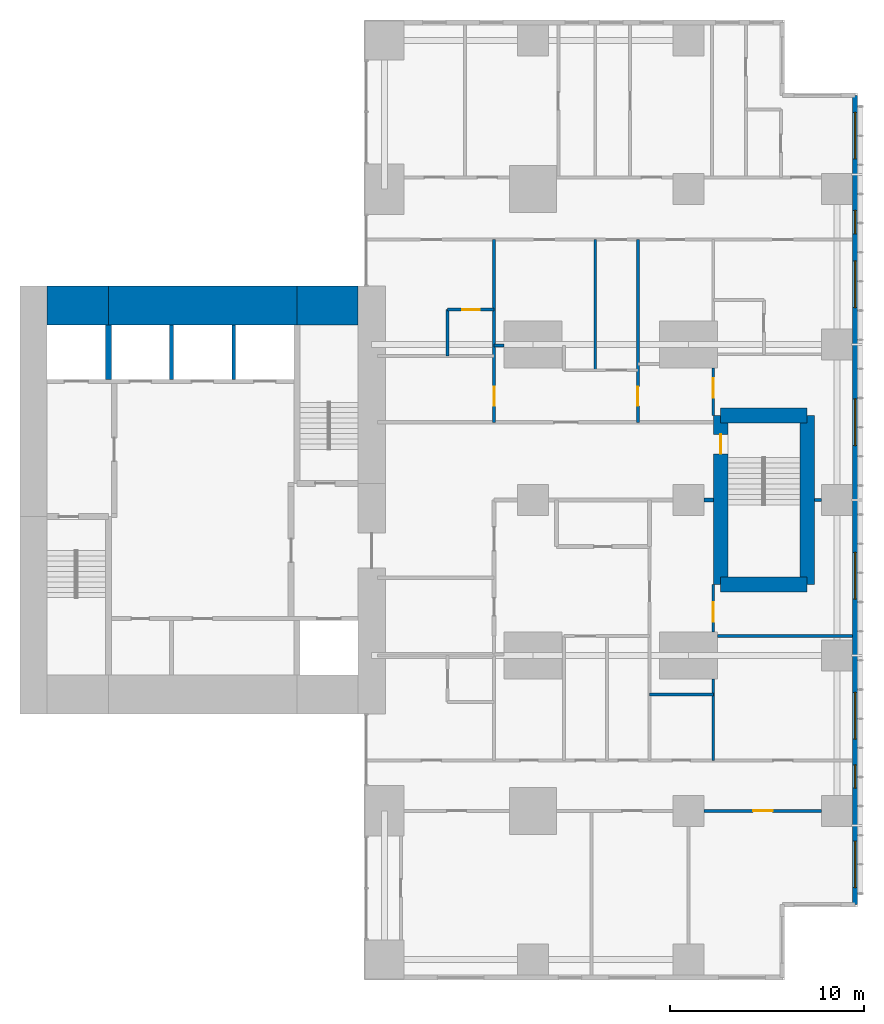
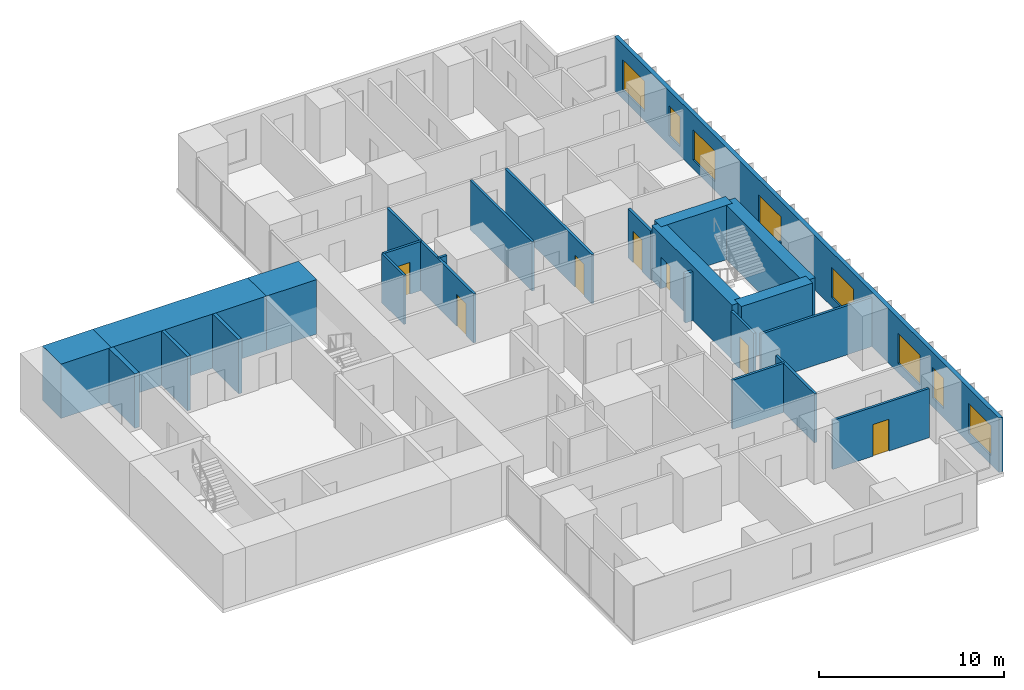
# One storey, part 9 of 12: 25 walls, 8 windows, 7 doors, 15 openings.
"""IFC4 building model written with IfcOpenShell, lengths in metres."""

from ifc_helpers import new_model, si_unit, direction, frame, frame_2d, origin, place, context, subcontext, project, spatial, rectangle, extrude, material, layer, layer_set, type_object, element, fill, save


model = new_model("IFC4")

# Units and contexts
model_context = context("Model", 3, precision=1e-05, world=origin(), true_north=direction((0.0, 1.0)))
body_context = subcontext(model_context, "Body", "Model", "MODEL_VIEW")
ifc_project = project(units=[si_unit("LENGTHUNIT", "METRE"), si_unit("AREAUNIT", "SQUARE_METRE"), si_unit("VOLUMEUNIT", "CUBIC_METRE"), si_unit("PLANEANGLEUNIT", "RADIAN"), si_unit("MASSUNIT", "GRAM", prefix="KILO")], contexts=[model_context])

# Site, building, storey
site_placement = place(None, origin())
site = spatial("IfcSite", under=ifc_project, at=site_placement, CompositionType="ELEMENT")
building_placement = place(site_placement, origin())
building = spatial("IfcBuilding", under=site, at=building_placement, Name="Cleftline Residences", CompositionType="ELEMENT")
storey_placement = place(building_placement, frame((0.0, 0.0, 273.60009765625)))
storey = spatial("IfcBuildingStorey", under=building, at=storey_placement, Name="L72", CompositionType="ELEMENT", Elevation=273.60009765625)

# Walls
ifc_material_1 = material(Name="Concrete B70", Category="concrete")
ifc_layer_1 = layer(ifc_material_1, 2.0)
ifc_layer_set_1 = layer_set([ifc_layer_1], Name="CORE WALL 2000")
wall_type_1 = type_object("IfcWallType", Name="CORE WALL 2000", PredefinedType="SHEAR", material=ifc_layer_set_1)
wall_1_placement = place(storey_placement, frame((25.0, 34.0, 0.0), z_axis=(0.0, 0.0, 1.0), x_axis=(1.0, 0.0, 0.0)))
element("IfcWall", 1, at=wall_1_placement, inside=storey, type_object=wall_type_1, Name="Core wall N1", PredefinedType="SHEAR", context=body_context, shape_type="SweptSolid", body=[
    extrude(rectangle(XDim=3.14990234375, YDim=2.0, at=frame_2d((1.574951171875, 0.0))), origin(), (0.0, 0.0, 1.0), 3.599853515625),
])
wall_2_placement = place(storey_placement, frame((28.14990234375, 34.0, 0.0), z_axis=(0.0, 0.0, 1.0), x_axis=(1.0, 0.0, 0.0)))
element("IfcWall", 2, at=wall_2_placement, inside=storey, type_object=wall_type_1, Name="Core wall N2", PredefinedType="SHEAR", context=body_context, shape_type="SweptSolid", body=[
    extrude(rectangle(XDim=9.7001953125, YDim=2.0, at=frame_2d((4.85009765625, 0.0))), origin(), (0.0, 0.0, 1.0), 3.599853515625),
])
wall_3_placement = place(storey_placement, frame((37.85009765625, 34.0, 0.0), z_axis=(0.0, 0.0, 1.0), x_axis=(1.0, 0.0, 0.0)))
element("IfcWall", 3, at=wall_3_placement, inside=storey, type_object=wall_type_1, Name="Core wall N3", PredefinedType="SHEAR", context=body_context, shape_type="SweptSolid", body=[
    extrude(rectangle(XDim=3.14990234375, YDim=2.0, at=frame_2d((1.574951171875, 0.0))), origin(), (0.0, 0.0, 1.0), 3.599853515625),
])
ifc_material_2 = material(Name="Concrete B70", Category="concrete")
ifc_layer_2 = layer(ifc_material_2, 0.300048828125)
ifc_layer_set_2 = layer_set([ifc_layer_2], Name="CORE WALL 300")
wall_type_2 = type_object("IfcWallType", Name="CORE WALL 300", PredefinedType="SHEAR", material=ifc_layer_set_2)
wall_4_placement = place(storey_placement, frame((28.14990234375, 30.199951171875, 0.0), z_axis=(0.0, 0.0, 1.0), x_axis=(0.0, 1.0, 0.0)))
element("IfcWall", 4, at=wall_4_placement, inside=storey, type_object=wall_type_2, Name="Lift shaft wall", PredefinedType="SHEAR", context=body_context, shape_type="SweptSolid", body=[
    extrude(rectangle(XDim=2.800048828125, YDim=0.300048828125, at=frame_2d((1.39990234375, 0.0))), origin(), (0.0, 0.0, 1.0), 3.599853515625),
])

# Wall, openings, windows
ifc_material_3 = material(Name="Rendered reinforced concrete blockwork", Category="masonry")
ifc_layer_3 = layer(ifc_material_3, 0.25)
ifc_layer_set_3 = layer_set([ifc_layer_3], Name="EXTERNAL WALL 250")
wall_type_3 = type_object("IfcWallType", Name="EXTERNAL WALL 250", PredefinedType="SOLIDWALL", material=ifc_layer_set_3)
wall_5_placement = place(storey_placement, frame((66.574951171875, 3.175048828125, 0.0), z_axis=(0.0, 0.0, 1.0), x_axis=(0.0, 1.0, 0.0)))
wall_5 = element("IfcWall", 5, at=wall_5_placement, inside=storey, type_object=wall_type_3, Name="External wall", PredefinedType="SOLIDWALL", context=body_context, shape_type="SweptSolid", body=[
    extrude(rectangle(XDim=41.64990234375, YDim=0.25, at=frame_2d((20.824951171875, 0.0))), origin(), (0.0, 0.0, 1.0), 3.599853515625),
])
opening_1_placement = place(wall_5_placement, frame((0.875, 0.0, 0.60009765625)))
opening_1 = element("IfcOpeningElement", 6, at=opening_1_placement, cuts=wall_5, Name="Opening W6", PredefinedType="OPENING", context=body_context, shape_type="SweptSolid", body=[
    extrude(rectangle(XDim=2.39990234375, YDim=2.0, at=frame_2d((1.199951171875, 1.0))), frame((0.0, 0.135009765625, 0.0), z_axis=(0.0, -1.0, 0.0), x_axis=(1.0, 0.0, 0.0)), (0.0, 0.0, 1.0), 0.27001953125),
])
opening_2_placement = place(wall_5_placement, frame((6.0, 0.0, 0.60009765625)))
opening_2 = element("IfcOpeningElement", 7, at=opening_2_placement, cuts=wall_5, Name="Opening W8", PredefinedType="OPENING", context=body_context, shape_type="SweptSolid", body=[
    extrude(rectangle(XDim=1.199951171875, YDim=2.0, at=frame_2d((0.60009765625, 1.0))), frame((0.0, 0.135009765625, 0.0), z_axis=(0.0, -1.0, 0.0), x_axis=(1.0, 0.0, 0.0)), (0.0, 0.0, 1.0), 0.27001953125),
])
opening_3_placement = place(wall_5_placement, frame((8.52490234375, 0.0, 0.60009765625)))
opening_3 = element("IfcOpeningElement", 8, at=opening_3_placement, cuts=wall_5, Name="Opening W6", PredefinedType="OPENING", context=body_context, shape_type="SweptSolid", body=[
    extrude(rectangle(XDim=2.39990234375, YDim=2.0, at=frame_2d((1.199951171875, 1.0))), frame((0.0, 0.135009765625, 0.0), z_axis=(0.0, -1.0, 0.0), x_axis=(1.0, 0.0, 0.0)), (0.0, 0.0, 1.0), 0.27001953125),
])
opening_4_placement = place(wall_5_placement, frame((15.72509765625, 0.0, 0.60009765625)))
opening_4 = element("IfcOpeningElement", 9, at=opening_4_placement, cuts=wall_5, Name="Opening W6", PredefinedType="OPENING", context=body_context, shape_type="SweptSolid", body=[
    extrude(rectangle(XDim=2.39990234375, YDim=2.0, at=frame_2d((1.199951171875, 1.0))), frame((0.0, 0.135009765625, 0.0), z_axis=(0.0, -1.0, 0.0), x_axis=(1.0, 0.0, 0.0)), (0.0, 0.0, 1.0), 0.27001953125),
])
opening_5_placement = place(wall_5_placement, frame((23.625, 0.0, 0.60009765625)))
opening_5 = element("IfcOpeningElement", 10, at=opening_5_placement, cuts=wall_5, Name="Opening W6", PredefinedType="OPENING", context=body_context, shape_type="SweptSolid", body=[
    extrude(rectangle(XDim=2.39990234375, YDim=2.0, at=frame_2d((1.199951171875, 1.0))), frame((0.0, 0.135009765625, 0.0), z_axis=(0.0, -1.0, 0.0), x_axis=(1.0, 0.0, 0.0)), (0.0, 0.0, 1.0), 0.27001953125),
])
opening_6_placement = place(wall_5_placement, frame((30.72509765625, 0.0, 0.60009765625)))
opening_6 = element("IfcOpeningElement", 11, at=opening_6_placement, cuts=wall_5, Name="Opening W6", PredefinedType="OPENING", context=body_context, shape_type="SweptSolid", body=[
    extrude(rectangle(XDim=2.39990234375, YDim=2.0, at=frame_2d((1.199951171875, 1.0))), frame((0.0, 0.135009765625, 0.0), z_axis=(0.0, -1.0, 0.0), x_axis=(1.0, 0.0, 0.0)), (0.0, 0.0, 1.0), 0.27001953125),
])
opening_7_placement = place(wall_5_placement, frame((34.52490234375, 0.0, 0.60009765625)))
opening_7 = element("IfcOpeningElement", 12, at=opening_7_placement, cuts=wall_5, Name="Opening W8", PredefinedType="OPENING", context=body_context, shape_type="SweptSolid", body=[
    extrude(rectangle(XDim=1.199951171875, YDim=2.0, at=frame_2d((0.60009765625, 1.0))), frame((0.0, 0.135009765625, 0.0), z_axis=(0.0, -1.0, 0.0), x_axis=(1.0, 0.0, 0.0)), (0.0, 0.0, 1.0), 0.27001953125),
])
opening_8_placement = place(wall_5_placement, frame((38.375, 0.0, 0.60009765625)))
opening_8 = element("IfcOpeningElement", 13, at=opening_8_placement, cuts=wall_5, Name="Opening W6", PredefinedType="OPENING", context=body_context, shape_type="SweptSolid", body=[
    extrude(rectangle(XDim=2.39990234375, YDim=2.0, at=frame_2d((1.199951171875, 1.0))), frame((0.0, 0.135009765625, 0.0), z_axis=(0.0, -1.0, 0.0), x_axis=(1.0, 0.0, 0.0)), (0.0, 0.0, 1.0), 0.27001953125),
])
ifc_material_4 = material(Name="Aluminium frame, clear double glazing", Category="aluminium")
window_type_1 = type_object("IfcWindowType", Name="WINDOW 1200X2000", PartitioningType="DOUBLE_PANEL_VERTICAL", PredefinedType="WINDOW", material=ifc_material_4)
window_1_placement = place(opening_2_placement, origin())
window_1 = element("IfcWindow", 14, at=window_1_placement, inside=storey, type_object=window_type_1, Name="Window", OverallHeight=2.0, OverallWidth=1.199951171875, PartitioningType="SINGLE_PANEL", PredefinedType="WINDOW", context=body_context, shape_type="SweptSolid", body=[
    extrude(rectangle(XDim=1.199951171875, YDim=2.0, at=frame_2d((0.60009765625, 1.0))), frame((0.0, 0.030029296875, 0.0), z_axis=(0.0, -1.0, 0.0), x_axis=(1.0, 0.0, 0.0)), (0.0, 0.0, 1.0), 0.06005859375),
])
fill(opening_2, window_1)
window_2_placement = place(opening_7_placement, origin())
window_2 = element("IfcWindow", 15, at=window_2_placement, inside=storey, type_object=window_type_1, Name="Window", OverallHeight=2.0, OverallWidth=1.199951171875, PartitioningType="SINGLE_PANEL", PredefinedType="WINDOW", context=body_context, shape_type="SweptSolid", body=[
    extrude(rectangle(XDim=1.199951171875, YDim=2.0, at=frame_2d((0.60009765625, 1.0))), frame((0.0, 0.030029296875, 0.0), z_axis=(0.0, -1.0, 0.0), x_axis=(1.0, 0.0, 0.0)), (0.0, 0.0, 1.0), 0.06005859375),
])
fill(opening_7, window_2)
ifc_material_5 = material(Name="Aluminium frame, clear double glazing", Category="aluminium")
window_type_2 = type_object("IfcWindowType", Name="WINDOW 2400X2000", PartitioningType="DOUBLE_PANEL_VERTICAL", PredefinedType="WINDOW", material=ifc_material_5)
window_3_placement = place(opening_1_placement, origin())
window_3 = element("IfcWindow", 16, at=window_3_placement, inside=storey, type_object=window_type_2, Name="Window", OverallHeight=2.0, OverallWidth=2.39990234375, PartitioningType="SINGLE_PANEL", PredefinedType="WINDOW", context=body_context, shape_type="SweptSolid", body=[
    extrude(rectangle(XDim=2.39990234375, YDim=2.0, at=frame_2d((1.199951171875, 1.0))), frame((0.0, 0.030029296875, 0.0), z_axis=(0.0, -1.0, 0.0), x_axis=(1.0, 0.0, 0.0)), (0.0, 0.0, 1.0), 0.06005859375),
])
fill(opening_1, window_3)
window_4_placement = place(opening_3_placement, origin())
window_4 = element("IfcWindow", 17, at=window_4_placement, inside=storey, type_object=window_type_2, Name="Window", OverallHeight=2.0, OverallWidth=2.39990234375, PartitioningType="SINGLE_PANEL", PredefinedType="WINDOW", context=body_context, shape_type="SweptSolid", body=[
    extrude(rectangle(XDim=2.39990234375, YDim=2.0, at=frame_2d((1.199951171875, 1.0))), frame((0.0, 0.030029296875, 0.0), z_axis=(0.0, -1.0, 0.0), x_axis=(1.0, 0.0, 0.0)), (0.0, 0.0, 1.0), 0.06005859375),
])
fill(opening_3, window_4)
window_5_placement = place(opening_4_placement, origin())
window_5 = element("IfcWindow", 18, at=window_5_placement, inside=storey, type_object=window_type_2, Name="Window", OverallHeight=2.0, OverallWidth=2.39990234375, PartitioningType="SINGLE_PANEL", PredefinedType="WINDOW", context=body_context, shape_type="SweptSolid", body=[
    extrude(rectangle(XDim=2.39990234375, YDim=2.0, at=frame_2d((1.199951171875, 1.0))), frame((0.0, 0.030029296875, 0.0), z_axis=(0.0, -1.0, 0.0), x_axis=(1.0, 0.0, 0.0)), (0.0, 0.0, 1.0), 0.06005859375),
])
fill(opening_4, window_5)
window_6_placement = place(opening_5_placement, origin())
window_6 = element("IfcWindow", 19, at=window_6_placement, inside=storey, type_object=window_type_2, Name="Window", OverallHeight=2.0, OverallWidth=2.39990234375, PartitioningType="SINGLE_PANEL", PredefinedType="WINDOW", context=body_context, shape_type="SweptSolid", body=[
    extrude(rectangle(XDim=2.39990234375, YDim=2.0, at=frame_2d((1.199951171875, 1.0))), frame((0.0, 0.030029296875, 0.0), z_axis=(0.0, -1.0, 0.0), x_axis=(1.0, 0.0, 0.0)), (0.0, 0.0, 1.0), 0.06005859375),
])
fill(opening_5, window_6)
window_7_placement = place(opening_6_placement, origin())
window_7 = element("IfcWindow", 20, at=window_7_placement, inside=storey, type_object=window_type_2, Name="Window", OverallHeight=2.0, OverallWidth=2.39990234375, PartitioningType="SINGLE_PANEL", PredefinedType="WINDOW", context=body_context, shape_type="SweptSolid", body=[
    extrude(rectangle(XDim=2.39990234375, YDim=2.0, at=frame_2d((1.199951171875, 1.0))), frame((0.0, 0.030029296875, 0.0), z_axis=(0.0, -1.0, 0.0), x_axis=(1.0, 0.0, 0.0)), (0.0, 0.0, 1.0), 0.06005859375),
])
fill(opening_6, window_7)
window_8_placement = place(opening_8_placement, origin())
window_8 = element("IfcWindow", 21, at=window_8_placement, inside=storey, type_object=window_type_2, Name="Window", OverallHeight=2.0, OverallWidth=2.39990234375, PartitioningType="SINGLE_PANEL", PredefinedType="WINDOW", context=body_context, shape_type="SweptSolid", body=[
    extrude(rectangle(XDim=2.39990234375, YDim=2.0, at=frame_2d((1.199951171875, 1.0))), frame((0.0, 0.030029296875, 0.0), z_axis=(0.0, -1.0, 0.0), x_axis=(1.0, 0.0, 0.0)), (0.0, 0.0, 1.0), 0.06005859375),
])
fill(opening_8, window_8)

# Wall
ifc_material_6 = material(Name="Concrete blockwork, fire rated", Category="masonry")
ifc_layer_4 = layer(ifc_material_6, 0.199951171875)
ifc_layer_set_4 = layer_set([ifc_layer_4], Name="FIRE WALL 200")
wall_type_4 = type_object("IfcWallType", Name="FIRE WALL 200", PredefinedType="PARTITIONING", material=ifc_layer_set_4)
wall_6_placement = place(storey_placement, frame((58.800048828125, 24.0, 0.0), z_axis=(0.0, 0.0, 1.0), x_axis=(1.0, 0.0, 0.0)))
element("IfcWall", 22, at=wall_6_placement, inside=storey, type_object=wall_type_4, Name="Fire separating wall", PredefinedType="PARTITIONING", context=body_context, shape_type="SweptSolid", body=[
    extrude(rectangle(XDim=0.474853515625, YDim=0.199951171875, at=frame_2d((0.2373046875, 0.0))), origin(), (0.0, 0.0, 1.0), 3.25),
])

# Wall, opening, door
ifc_material_7 = material(Name="Gypsum board on steel studs", Category="steel")
ifc_layer_5 = layer(ifc_material_7, 0.14990234375)
ifc_layer_set_5 = layer_set([ifc_layer_5], Name="PARTITION 150")
wall_type_5 = type_object("IfcWallType", Name="PARTITION 150", PredefinedType="PARTITIONING", material=ifc_layer_set_5)
wall_7_placement = place(storey_placement, frame((58.800048828125, 8.0, 0.0), z_axis=(0.0, 0.0, 1.0), x_axis=(1.0, 0.0, 0.0)))
wall_7 = element("IfcWall", 23, at=wall_7_placement, inside=storey, type_object=wall_type_5, Name="Partition", PredefinedType="PARTITIONING", context=body_context, shape_type="SweptSolid", body=[
    extrude(rectangle(XDim=6.050048828125, YDim=0.14990234375, at=frame_2d((3.02490234375, 0.0))), origin(), (0.0, 0.0, 1.0), 3.25),
])
opening_9_placement = place(wall_7_placement, frame((2.52490234375, 0.0, 0.0)))
opening_9 = element("IfcOpeningElement", 24, at=opening_9_placement, cuts=wall_7, Name="Opening D2", PredefinedType="OPENING", context=body_context, shape_type="SweptSolid", body=[
    extrude(rectangle(XDim=1.0, YDim=2.10009765625, at=frame_2d((0.5, 1.050048828125))), frame((0.0, 0.0849609375, 0.0), z_axis=(0.0, -1.0, 0.0), x_axis=(1.0, 0.0, 0.0)), (0.0, 0.0, 1.0), 0.169921875),
])
ifc_material_8 = material(Name="Timber veneer on solid core", Category="wood")
door_type_1 = type_object("IfcDoorType", Name="DOOR 1000X2100", OperationType="SINGLE_SWING_LEFT", PredefinedType="DOOR", material=ifc_material_8)
door_1_placement = place(opening_9_placement, origin())
door_1 = element("IfcDoor", 25, at=door_1_placement, inside=storey, type_object=door_type_1, Name="Door to formal dining room", OperationType="SINGLE_SWING_LEFT", OverallHeight=2.10009765625, OverallWidth=1.0, PredefinedType="DOOR", context=body_context, shape_type="SweptSolid", body=[
    extrude(rectangle(XDim=1.0, YDim=2.10009765625, at=frame_2d((0.5, 1.050048828125))), frame((0.0, 0.02490234375, 0.0), z_axis=(0.0, -1.0, 0.0), x_axis=(1.0, 0.0, 0.0)), (0.0, 0.0, 1.0), 0.050048828125),
])
fill(opening_9, door_1)

# Walls
wall_8_placement = place(storey_placement, frame((56.0, 14.0, 0.0), z_axis=(0.0, 0.0, 1.0), x_axis=(1.0, 0.0, 0.0)))
element("IfcWall", 26, at=wall_8_placement, inside=storey, type_object=wall_type_5, Name="Partition", PredefinedType="PARTITIONING", context=body_context, shape_type="SweptSolid", body=[
    extrude(rectangle(XDim=3.27490234375, YDim=0.14990234375, at=frame_2d((1.637451171875, 0.0))), origin(), (0.0, 0.0, 1.0), 3.25),
])
wall_9_placement = place(storey_placement, frame((59.5, 17.0, 0.0), z_axis=(0.0, 0.0, 1.0), x_axis=(1.0, 0.0, 0.0)))
element("IfcWall", 27, at=wall_9_placement, inside=storey, type_object=wall_type_5, Name="Partition", PredefinedType="PARTITIONING", context=body_context, shape_type="SweptSolid", body=[
    extrude(rectangle(XDim=6.949951171875, YDim=0.14990234375, at=frame_2d((3.47509765625, 0.0))), origin(), (0.0, 0.0, 1.0), 3.25),
])
wall_10_placement = place(storey_placement, frame((64.47509765625, 24.0, 0.0), z_axis=(0.0, 0.0, 1.0), x_axis=(1.0, 0.0, 0.0)))
element("IfcWall", 28, at=wall_10_placement, inside=storey, type_object=wall_type_5, Name="Partition", PredefinedType="PARTITIONING", context=body_context, shape_type="SweptSolid", body=[
    extrude(rectangle(XDim=0.375, YDim=0.14990234375, at=frame_2d((0.1875, 0.0))), origin(), (0.0, 0.0, 1.0), 3.25),
])
wall_11_placement = place(storey_placement, frame((48.0, 31.949951171875, 0.0), z_axis=(0.0, 0.0, 1.0), x_axis=(1.0, 0.0, 0.0)))
element("IfcWall", 29, at=wall_11_placement, inside=storey, type_object=wall_type_5, Name="Partition", PredefinedType="PARTITIONING", context=body_context, shape_type="SweptSolid", body=[
    extrude(rectangle(XDim=0.5, YDim=0.14990234375, at=frame_2d((0.25, 0.0))), origin(), (0.0, 0.0, 1.0), 3.25),
])

# Wall, opening, door
wall_12_placement = place(storey_placement, frame((45.60009765625, 33.800048828125, 0.0), z_axis=(0.0, 0.0, 1.0), x_axis=(1.0, 0.0, 0.0)))
wall_12 = element("IfcWall", 30, at=wall_12_placement, inside=storey, type_object=wall_type_5, Name="Partition", PredefinedType="PARTITIONING", context=body_context, shape_type="SweptSolid", body=[
    extrude(rectangle(XDim=2.39990234375, YDim=0.14990234375, at=frame_2d((1.199951171875, 0.0))), origin(), (0.0, 0.0, 1.0), 3.25),
])
opening_10_placement = place(wall_12_placement, frame((0.75, 0.0, 0.0)))
opening_10 = element("IfcOpeningElement", 31, at=opening_10_placement, cuts=wall_12, Name="Opening D1", PredefinedType="OPENING", context=body_context, shape_type="SweptSolid", body=[
    extrude(rectangle(XDim=0.89990234375, YDim=2.10009765625, at=frame_2d((0.449951171875, 1.050048828125))), frame((0.0, 0.0849609375, 0.0), z_axis=(0.0, -1.0, 0.0), x_axis=(1.0, 0.0, 0.0)), (0.0, 0.0, 1.0), 0.169921875),
])
ifc_material_9 = material(Name="Timber veneer on solid core", Category="wood")
door_type_2 = type_object("IfcDoorType", Name="DOOR 900X2100", OperationType="SINGLE_SWING_LEFT", PredefinedType="DOOR", material=ifc_material_9)
door_2_placement = place(opening_10_placement, origin())
door_2 = element("IfcDoor", 32, at=door_2_placement, inside=storey, type_object=door_type_2, Name="Door to staff shower room", OperationType="SINGLE_SWING_LEFT", OverallHeight=2.10009765625, OverallWidth=0.89990234375, PredefinedType="DOOR", context=body_context, shape_type="SweptSolid", body=[
    extrude(rectangle(XDim=0.89990234375, YDim=2.10009765625, at=frame_2d((0.449951171875, 1.050048828125))), frame((0.0, 0.02490234375, 0.0), z_axis=(0.0, -1.0, 0.0), x_axis=(1.0, 0.0, 0.0)), (0.0, 0.0, 1.0), 0.050048828125),
])
fill(opening_10, door_2)

# Wall
wall_13_placement = place(storey_placement, frame((45.60009765625, 31.39990234375, 0.0), z_axis=(0.0, 0.0, 1.0), x_axis=(0.0, 1.0, 0.0)))
element("IfcWall", 33, at=wall_13_placement, inside=storey, type_object=wall_type_5, Name="Partition", PredefinedType="PARTITIONING", context=body_context, shape_type="SweptSolid", body=[
    extrude(rectangle(XDim=2.400146484375, YDim=0.14990234375, at=frame_2d((1.2001953125, 0.0))), origin(), (0.0, 0.0, 1.0), 3.25),
])

# Wall, opening, door
wall_14_placement = place(storey_placement, frame((48.0, 28.0, 0.0), z_axis=(0.0, 0.0, 1.0), x_axis=(0.0, 1.0, 0.0)))
wall_14 = element("IfcWall", 34, at=wall_14_placement, inside=storey, type_object=wall_type_5, Name="Partition", PredefinedType="PARTITIONING", context=body_context, shape_type="SweptSolid", body=[
    extrude(rectangle(XDim=9.39990234375, YDim=0.14990234375, at=frame_2d((4.699951171875, 0.0))), origin(), (0.0, 0.0, 1.0), 3.25),
])
opening_11_placement = place(wall_14_placement, frame((0.83740234375, 0.0, 0.0)))
opening_11 = element("IfcOpeningElement", 35, at=opening_11_placement, cuts=wall_14, Name="Opening D2", PredefinedType="OPENING", context=body_context, shape_type="SweptSolid", body=[
    extrude(rectangle(XDim=1.0, YDim=2.10009765625, at=frame_2d((0.5, 1.050048828125))), frame((0.0, 0.0849609375, 0.0), z_axis=(0.0, -1.0, 0.0), x_axis=(1.0, 0.0, 0.0)), (0.0, 0.0, 1.0), 0.169921875),
])
door_3_placement = place(opening_11_placement, origin())
door_3 = element("IfcDoor", 36, at=door_3_placement, inside=storey, type_object=door_type_1, Name="Door to morning kitchen", OperationType="SINGLE_SWING_RIGHT", OverallHeight=2.10009765625, OverallWidth=1.0, PredefinedType="DOOR", context=body_context, shape_type="SweptSolid", body=[
    extrude(rectangle(XDim=1.0, YDim=2.10009765625, at=frame_2d((0.5, 1.050048828125))), frame((0.0, 0.02490234375, 0.0), z_axis=(0.0, -1.0, 0.0), x_axis=(1.0, 0.0, 0.0)), (0.0, 0.0, 1.0), 0.050048828125),
])
fill(opening_11, door_3)

# Wall
wall_15_placement = place(storey_placement, frame((53.199951171875, 30.675048828125, 0.0), z_axis=(0.0, 0.0, 1.0), x_axis=(0.0, 1.0, 0.0)))
element("IfcWall", 37, at=wall_15_placement, inside=storey, type_object=wall_type_5, Name="Partition", PredefinedType="PARTITIONING", context=body_context, shape_type="SweptSolid", body=[
    extrude(rectangle(XDim=6.724853515625, YDim=0.14990234375, at=frame_2d((3.3623046875, 0.0))), origin(), (0.0, 0.0, 1.0), 3.25),
])

# Wall, opening, door
wall_16_placement = place(storey_placement, frame((55.39990234375, 28.0, 0.0), z_axis=(0.0, 0.0, 1.0), x_axis=(0.0, 1.0, 0.0)))
wall_16 = element("IfcWall", 38, at=wall_16_placement, inside=storey, type_object=wall_type_5, Name="Partition", PredefinedType="PARTITIONING", context=body_context, shape_type="SweptSolid", body=[
    extrude(rectangle(XDim=9.39990234375, YDim=0.14990234375, at=frame_2d((4.699951171875, 0.0))), origin(), (0.0, 0.0, 1.0), 3.25),
])
opening_12_placement = place(wall_16_placement, frame((0.83740234375, 0.0, 0.0)))
opening_12 = element("IfcOpeningElement", 39, at=opening_12_placement, cuts=wall_16, Name="Opening D2F30", PredefinedType="OPENING", context=body_context, shape_type="SweptSolid", body=[
    extrude(rectangle(XDim=1.0, YDim=2.10009765625, at=frame_2d((0.5, 1.050048828125))), frame((0.0, 0.0849609375, 0.0), z_axis=(0.0, -1.0, 0.0), x_axis=(1.0, 0.0, 0.0)), (0.0, 0.0, 1.0), 0.169921875),
])
ifc_material_10 = material(Name="Timber veneer on solid core", Category="wood")
door_type_3 = type_object("IfcDoorType", Name="DOOR 1000X2100 EI 30", OperationType="SINGLE_SWING_LEFT", PredefinedType="DOOR", material=ifc_material_10)
door_4_placement = place(opening_12_placement, origin())
door_4 = element("IfcDoor", 40, at=door_4_placement, inside=storey, type_object=door_type_3, Name="Door to residence lobby (service)", OperationType="SINGLE_SWING_RIGHT", OverallHeight=2.10009765625, OverallWidth=1.0, PredefinedType="DOOR", context=body_context, shape_type="SweptSolid", body=[
    extrude(rectangle(XDim=1.0, YDim=2.10009765625, at=frame_2d((0.5, 1.050048828125))), frame((0.0, 0.02490234375, 0.0), z_axis=(0.0, -1.0, 0.0), x_axis=(1.0, 0.0, 0.0)), (0.0, 0.0, 1.0), 0.050048828125),
])
fill(opening_12, door_4)

# Wall
wall_17_placement = place(storey_placement, frame((59.27490234375, 10.60009765625, 0.0), z_axis=(0.0, 0.0, 1.0), x_axis=(0.0, 1.0, 0.0)))
element("IfcWall", 41, at=wall_17_placement, inside=storey, type_object=wall_type_5, Name="Partition", PredefinedType="PARTITIONING", context=body_context, shape_type="SweptSolid", body=[
    extrude(rectangle(XDim=4.199951171875, YDim=0.14990234375, at=frame_2d((2.10009765625, 0.0))), origin(), (0.0, 0.0, 1.0), 3.25),
])

# Wall, opening, door
wall_18_placement = place(storey_placement, frame((59.27490234375, 17.199951171875, 0.0), z_axis=(0.0, 0.0, 1.0), x_axis=(0.0, 1.0, 0.0)))
wall_18 = element("IfcWall", 42, at=wall_18_placement, inside=storey, type_object=wall_type_5, Name="Partition", PredefinedType="PARTITIONING", context=body_context, shape_type="SweptSolid", body=[
    extrude(rectangle(XDim=2.449951171875, YDim=0.14990234375, at=frame_2d((1.22509765625, 0.0))), origin(), (0.0, 0.0, 1.0), 3.25),
])
opening_13_placement = place(wall_18_placement, frame((0.53759765625, 0.0, 0.0)))
opening_13 = element("IfcOpeningElement", 43, at=opening_13_placement, cuts=wall_18, Name="Opening D2", PredefinedType="OPENING", context=body_context, shape_type="SweptSolid", body=[
    extrude(rectangle(XDim=1.0, YDim=2.10009765625, at=frame_2d((0.5, 1.050048828125))), frame((0.0, 0.0849609375, 0.0), z_axis=(0.0, -1.0, 0.0), x_axis=(1.0, 0.0, 0.0)), (0.0, 0.0, 1.0), 0.169921875),
])
door_5_placement = place(opening_13_placement, origin())
door_5 = element("IfcDoor", 44, at=door_5_placement, inside=storey, type_object=door_type_1, Name="Door to winter garden", OperationType="SINGLE_SWING_RIGHT", OverallHeight=2.10009765625, OverallWidth=1.0, PredefinedType="DOOR", context=body_context, shape_type="SweptSolid", body=[
    extrude(rectangle(XDim=1.0, YDim=2.10009765625, at=frame_2d((0.5, 1.050048828125))), frame((0.0, 0.02490234375, 0.0), z_axis=(0.0, -1.0, 0.0), x_axis=(1.0, 0.0, 0.0)), (0.0, 0.0, 1.0), 0.050048828125),
])
fill(opening_13, door_5)

wall_19_placement = place(storey_placement, frame((59.27490234375, 28.35009765625, 0.0), z_axis=(0.0, 0.0, 1.0), x_axis=(0.0, 1.0, 0.0)))
wall_19 = element("IfcWall", 45, at=wall_19_placement, inside=storey, type_object=wall_type_5, Name="Partition", PredefinedType="PARTITIONING", context=body_context, shape_type="SweptSolid", body=[
    extrude(rectangle(XDim=2.449951171875, YDim=0.14990234375, at=frame_2d((1.22509765625, 0.0))), origin(), (0.0, 0.0, 1.0), 3.25),
])
opening_14_placement = place(wall_19_placement, frame((0.91259765625, 0.0, 0.0)))
opening_14 = element("IfcOpeningElement", 46, at=opening_14_placement, cuts=wall_19, Name="Opening D2", PredefinedType="OPENING", context=body_context, shape_type="SweptSolid", body=[
    extrude(rectangle(XDim=1.0, YDim=2.10009765625, at=frame_2d((0.5, 1.050048828125))), frame((0.0, 0.0849609375, 0.0), z_axis=(0.0, -1.0, 0.0), x_axis=(1.0, 0.0, 0.0)), (0.0, 0.0, 1.0), 0.169921875),
])
door_6_placement = place(opening_14_placement, origin())
door_6 = element("IfcDoor", 47, at=door_6_placement, inside=storey, type_object=door_type_1, Name="Door to winter garden", OperationType="SINGLE_SWING_LEFT", OverallHeight=2.10009765625, OverallWidth=1.0, PredefinedType="DOOR", context=body_context, shape_type="SweptSolid", body=[
    extrude(rectangle(XDim=1.0, YDim=2.10009765625, at=frame_2d((0.5, 1.050048828125))), frame((0.0, 0.02490234375, 0.0), z_axis=(0.0, -1.0, 0.0), x_axis=(1.0, 0.0, 0.0)), (0.0, 0.0, 1.0), 0.050048828125),
])
fill(opening_14, door_6)

# Walls
ifc_material_11 = material(Name="Concrete blockwork, fire rated", Category="masonry")
ifc_layer_6 = layer(ifc_material_11, 0.199951171875)
ifc_layer_set_6 = layer_set([ifc_layer_6], Name="SHAFT WALL 200")
wall_type_6 = type_object("IfcWallType", Name="SHAFT WALL 200", PredefinedType="PARTITIONING", material=ifc_layer_set_6)
for number, where, z_axis, x_axis, name in (
    (48, (31.39990234375, 30.199951171875, 0.0), (0.0, 0.0, 1.0), (0.0, 1.0, 0.0), "Lift shaft wall"),
    (49, (34.60009765625, 30.199951171875, 0.0), (0.0, 0.0, 1.0), (0.0, 1.0, 0.0), "Lift shaft wall"),
):
    element("IfcWall", number, at=place(storey_placement, frame(where, z_axis=z_axis, x_axis=x_axis)), inside=storey, type_object=wall_type_6, Name=name, PredefinedType="PARTITIONING", context=body_context, shape_type="SweptSolid", body=[
        extrude(rectangle(XDim=2.800048828125, YDim=0.199951171875, at=frame_2d((1.39990234375, 0.0))), origin(), (0.0, 0.0, 1.0), 3.599853515625),
    ])
ifc_material_12 = material(Name="Concrete B70", Category="concrete")
ifc_layer_7 = layer(ifc_material_12, 0.75)
ifc_layer_set_7 = layer_set([ifc_layer_7], Name="SHEAR WALL 750")
wall_type_7 = type_object("IfcWallType", Name="SHEAR WALL 750", PredefinedType="SHEAR", material=ifc_layer_set_7)
wall_20_placement = place(storey_placement, frame((59.64990234375, 19.64990234375, 0.0), z_axis=(0.0, 0.0, 1.0), x_axis=(1.0, 0.0, 0.0)))
element("IfcWall", 50, at=wall_20_placement, inside=storey, type_object=wall_type_7, Name="Wing shear wall", PredefinedType="SHEAR", context=body_context, shape_type="SweptSolid", body=[
    extrude(rectangle(XDim=4.4501953125, YDim=0.75, at=frame_2d((2.22509765625, 0.0))), origin(), (0.0, 0.0, 1.0), 3.599853515625),
])
wall_21_placement = place(storey_placement, frame((64.10009765625, 19.64990234375, 0.0), z_axis=(0.0, 0.0, 1.0), x_axis=(0.0, 1.0, 0.0)))
element("IfcWall", 51, at=wall_21_placement, inside=storey, type_object=wall_type_7, Name="Wing shear wall", PredefinedType="SHEAR", context=body_context, shape_type="SweptSolid", body=[
    extrude(rectangle(XDim=8.7001953125, YDim=0.75, at=frame_2d((4.35009765625, 0.0))), origin(), (0.0, 0.0, 1.0), 3.599853515625),
])
wall_22_placement = place(storey_placement, frame((64.10009765625, 28.35009765625, 0.0), z_axis=(0.0, 0.0, 1.0), x_axis=(-1.0, 0.0, 0.0)))
element("IfcWall", 52, at=wall_22_placement, inside=storey, type_object=wall_type_7, Name="Wing shear wall", PredefinedType="SHEAR", context=body_context, shape_type="SweptSolid", body=[
    extrude(rectangle(XDim=4.4501953125, YDim=0.75, at=frame_2d((2.22509765625, 0.0))), origin(), (0.0, 0.0, 1.0), 3.599853515625),
])

# Wall, opening, door
wall_23_placement = place(storey_placement, frame((59.64990234375, 28.35009765625, 0.0), z_axis=(0.0, 0.0, 1.0), x_axis=(0.0, -1.0, 0.0)))
wall_23 = element("IfcWall", 53, at=wall_23_placement, inside=storey, type_object=wall_type_7, Name="Wing shear wall", PredefinedType="SHEAR", context=body_context, shape_type="SweptSolid", body=[
    extrude(rectangle(XDim=8.7001953125, YDim=0.75, at=frame_2d((4.35009765625, 0.0))), origin(), (0.0, 0.0, 1.0), 3.599853515625),
])
opening_15_placement = place(wall_23_placement, frame((0.97509765625, 0.0, 0.0)))
opening_15 = element("IfcOpeningElement", 54, at=opening_15_placement, cuts=wall_23, Name="Opening D5", PredefinedType="OPENING", context=body_context, shape_type="SweptSolid", body=[
    extrude(rectangle(XDim=1.0, YDim=2.10009765625, at=frame_2d((0.5, 1.050048828125))), frame((0.0, 0.385009765625, 0.0), z_axis=(0.0, -1.0, 0.0), x_axis=(1.0, 0.0, 0.0)), (0.0, 0.0, 1.0), 0.77001953125),
])
ifc_material_13 = material(Name="Steel", Category="steel")
door_type_4 = type_object("IfcDoorType", Name="STAIR DOOR 1000X2100", OperationType="SINGLE_SWING_LEFT", PredefinedType="DOOR", material=ifc_material_13)
door_7_placement = place(opening_15_placement, origin())
door_7 = element("IfcDoor", 55, at=door_7_placement, inside=storey, type_object=door_type_4, Name="Stair E door", OperationType="SINGLE_SWING_RIGHT", OverallHeight=2.10009765625, OverallWidth=1.0, PredefinedType="DOOR", context=body_context, shape_type="SweptSolid", body=[
    extrude(rectangle(XDim=1.0, YDim=2.10009765625, at=frame_2d((0.5, 1.050048828125))), frame((0.0, 0.02490234375, 0.0), z_axis=(0.0, -1.0, 0.0), x_axis=(1.0, 0.0, 0.0)), (0.0, 0.0, 1.0), 0.050048828125),
])
fill(opening_15, door_7)

save(model, "model.ifc")
